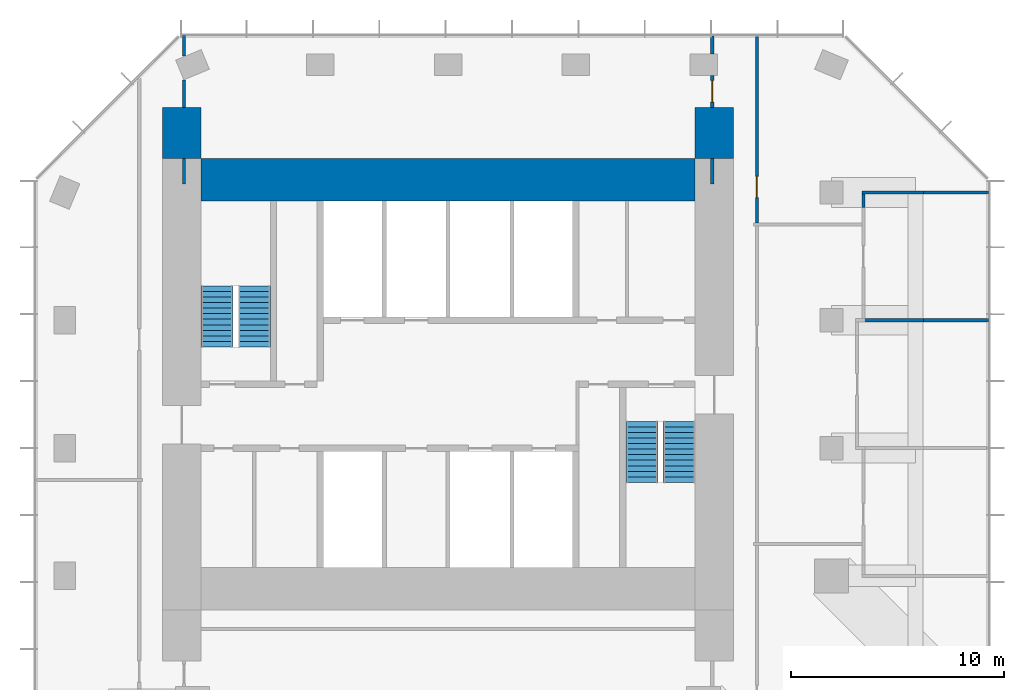
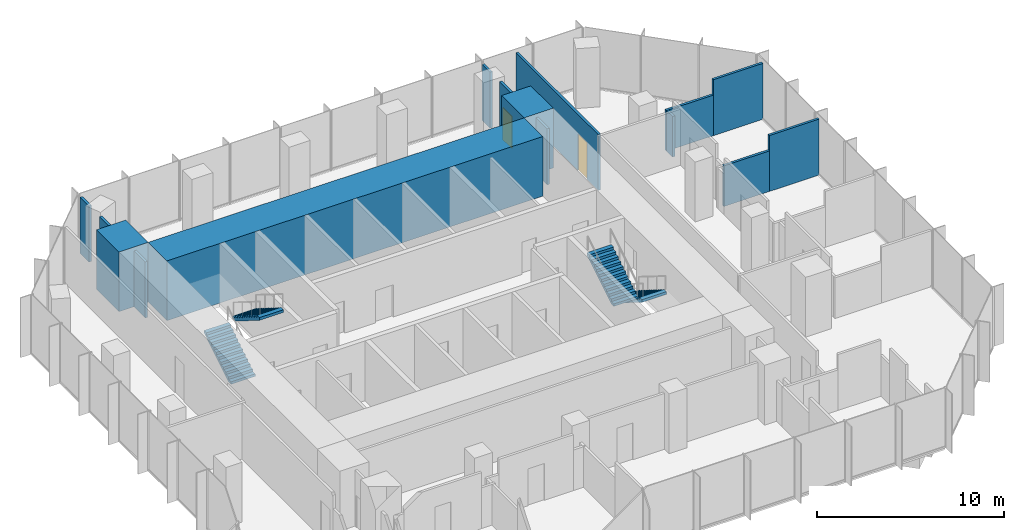
# One storey, part 10 of 11: 15 walls, 4 stair flights, 2 doors, 2 openings, 2 elements without a shape of their own.
"""IFC4 building model written with IfcOpenShell, lengths in metres."""

from ifc_helpers import new_model, si_unit, direction, frame, frame_2d, origin, place, context, subcontext, project, spatial, polyline, rectangle, outline, extrude, material, layer, layer_set, type_object, element, fill, aggregate, save


model = new_model("IFC4")

# Units and contexts
model_context = context("Model", 3, precision=1e-05, world=origin(), true_north=direction((0.0, 1.0)))
body_context = subcontext(model_context, "Body", "Model", "MODEL_VIEW")
ifc_project = project(units=[si_unit("LENGTHUNIT", "METRE"), si_unit("AREAUNIT", "SQUARE_METRE"), si_unit("VOLUMEUNIT", "CUBIC_METRE"), si_unit("PLANEANGLEUNIT", "RADIAN"), si_unit("MASSUNIT", "GRAM", prefix="KILO")], contexts=[model_context])

# Site, building, storey
site_placement = place(None, origin())
site = spatial("IfcSite", under=ifc_project, at=site_placement, CompositionType="ELEMENT")
building_placement = place(site_placement, origin())
building = spatial("IfcBuilding", under=site, at=building_placement, Name="Highveld Stack Headquarters", CompositionType="ELEMENT")
storey_placement = place(building_placement, frame((0.0, 0.0, 280.10009765625)))
storey = spatial("IfcBuildingStorey", under=building, at=storey_placement, Name="L69", CompositionType="ELEMENT", Elevation=280.10009765625)

# Walls
ifc_material_1 = material(Name="Concrete C60/75", Category="concrete")
ifc_layer_1 = layer(ifc_material_1, 2.0)
ifc_layer_set_1 = layer_set([ifc_layer_1], Name="Concrete C60/75")
wall_type_1 = type_object("IfcWallType", Name="CORE WALL 2000 C60/75", PredefinedType="SHEAR", material=ifc_layer_set_1)
wall_1_placement = place(storey_placement, frame((-5.60009765625, 12.60009765625, 0.0), z_axis=(0.0, 0.0, 1.0), x_axis=(1.0, 0.0, 0.0)))
element("IfcWall", 1, at=wall_1_placement, inside=storey, type_object=wall_type_1, Name="Core wall N L69", PredefinedType="SHEAR", context=body_context, shape_type="SweptSolid", body=[
    extrude(rectangle(XDim=23.2001953125, YDim=2.0, at=frame_2d((11.60009765625, 0.0))), origin(), (0.0, 0.0, 1.0), 3.89990234375),
])
ifc_material_2 = material(Name="Concrete C60/75", Category="concrete")
ifc_layer_2 = layer(ifc_material_2, 1.800048828125)
ifc_layer_set_2 = layer_set([ifc_layer_2], Name="Concrete C60/75")
wall_type_2 = type_object("IfcWallType", Name="CORE WING WALL 1800 C60/75", PredefinedType="SHEAR", material=ifc_layer_set_2)
for number, where, z_axis, x_axis, name in (
    (2, (-6.5, 13.60009765625, 0.0), (0.0, 0.0, 1.0), (0.0, 1.0, 0.0), "Core wing wall WN L69"),
    (3, (18.5, 13.60009765625, 0.0), (0.0, 0.0, 1.0), (0.0, 1.0, 0.0), "Core wing wall EN L69"),
):
    element("IfcWall", number, at=place(storey_placement, frame(where, z_axis=z_axis, x_axis=x_axis)), inside=storey, type_object=wall_type_2, Name=name, PredefinedType="SHEAR", context=body_context, shape_type="SweptSolid", body=[
        extrude(rectangle(XDim=2.39990234375, YDim=1.800048828125, at=frame_2d((1.199951171875, 0.0))), origin(), (0.0, 0.0, 1.0), 3.89990234375),
    ])
ifc_material_3 = material(Name="Gypsum plasterboard on steel studs", Category="steel")
ifc_layer_3 = layer(ifc_material_3, 0.14990234375)
ifc_layer_set_3 = layer_set([ifc_layer_3], Name="Gypsum plasterboard on steel studs")
wall_type_3 = type_object("IfcWallType", Name="PARTITION 150 PLASTERBOARD", PredefinedType="PARTITIONING", material=ifc_layer_set_3)
wall_2_placement = place(storey_placement, frame((25.5, 6.0, 0.0), z_axis=(0.0, 0.0, 1.0), x_axis=(1.0, 0.0, 0.0)))
element("IfcWall", 4, at=wall_2_placement, inside=storey, type_object=wall_type_3, Name="Partition Quiet room / Tea kitchen L69", PredefinedType="PARTITIONING", context=body_context, shape_type="SweptSolid", body=[
    extrude(rectangle(XDim=2.81005859375, YDim=0.14990234375, at=frame_2d((1.405029296875, 0.0))), origin(), (0.0, 0.0, 1.0), 2.64990234375),
])
wall_3_placement = place(storey_placement, frame((28.31005859375, 6.0, 0.0), z_axis=(0.0, 0.0, 1.0), x_axis=(1.0, 0.0, 0.0)))
element("IfcWall", 5, at=wall_3_placement, inside=storey, type_object=wall_type_3, Name="Partition Quiet room / Tea kitchen L69", PredefinedType="PARTITIONING", context=body_context, shape_type="SweptSolid", body=[
    extrude(rectangle(XDim=3.06494140625, YDim=0.14990234375, at=frame_2d((1.532470703125, 0.0))), origin(), (0.0, 0.0, 1.0), 3.64990234375),
])
wall_4_placement = place(storey_placement, frame((25.425048828125, 12.0, 0.0), z_axis=(0.0, 0.0, 1.0), x_axis=(1.0, 0.0, 0.0)))
element("IfcWall", 6, at=wall_4_placement, inside=storey, type_object=wall_type_3, Name="Partition Quiet room L69", PredefinedType="PARTITIONING", context=body_context, shape_type="SweptSolid", body=[
    extrude(rectangle(XDim=2.885009765625, YDim=0.14990234375, at=frame_2d((1.4423828125, 0.0))), origin(), (0.0, 0.0, 1.0), 2.64990234375),
])
wall_5_placement = place(storey_placement, frame((28.31005859375, 12.0, 0.0), z_axis=(0.0, 0.0, 1.0), x_axis=(1.0, 0.0, 0.0)))
element("IfcWall", 7, at=wall_5_placement, inside=storey, type_object=wall_type_3, Name="Partition Quiet room L69", PredefinedType="PARTITIONING", context=body_context, shape_type="SweptSolid", body=[
    extrude(rectangle(XDim=3.06494140625, YDim=0.14990234375, at=frame_2d((1.532470703125, 0.0))), origin(), (0.0, 0.0, 1.0), 3.64990234375),
])
wall_6_placement = place(storey_placement, frame((25.5, 11.2900390625, 0.0), z_axis=(0.0, 0.0, 1.0), x_axis=(0.0, 1.0, 0.0)))
element("IfcWall", 8, at=wall_6_placement, inside=storey, type_object=wall_type_3, Name="Partition Quiet room L69", PredefinedType="PARTITIONING", context=body_context, shape_type="SweptSolid", body=[
    extrude(rectangle(XDim=0.635009765625, YDim=0.14990234375, at=frame_2d((0.3173828125, 0.0))), origin(), (0.0, 0.0, 1.0), 2.64990234375),
])
wall_7_placement = place(storey_placement, frame((-6.39990234375, 12.39990234375, 0.0), z_axis=(0.0, 0.0, 1.0), x_axis=(0.0, 1.0, 0.0)))
element("IfcWall", 9, at=wall_7_placement, inside=storey, type_object=wall_type_3, Name="Partition office neighbourhood L69", PredefinedType="PARTITIONING", context=body_context, shape_type="SweptSolid", body=[
    extrude(rectangle(XDim=1.2001953125, YDim=0.14990234375, at=frame_2d((0.60009765625, 0.0))), origin(), (0.0, 0.0, 1.0), 3.64990234375),
])
wall_8_placement = place(storey_placement, frame((-6.39990234375, 16.0, 0.0), z_axis=(0.0, 0.0, 1.0), x_axis=(0.0, 1.0, 0.0)))
element("IfcWall", 10, at=wall_8_placement, inside=storey, type_object=wall_type_3, Name="Partition office neighbourhood L69", PredefinedType="PARTITIONING", context=body_context, shape_type="SweptSolid", body=[
    extrude(rectangle(XDim=1.289306640625, YDim=0.14990234375, at=frame_2d((0.64453125, 0.0))), origin(), (0.0, 0.0, 1.0), 3.64990234375),
])
wall_9_placement = place(storey_placement, frame((-6.39990234375, 18.406494140625, 0.0), z_axis=(0.0, 0.0, 1.0), x_axis=(0.0, 1.0, 0.0)))
element("IfcWall", 11, at=wall_9_placement, inside=storey, type_object=wall_type_3, Name="Partition office neighbourhood L69", PredefinedType="PARTITIONING", context=body_context, shape_type="SweptSolid", body=[
    extrude(rectangle(XDim=0.968505859375, YDim=0.14990234375, at=frame_2d((0.484375, 0.0))), origin(), (0.0, 0.0, 1.0), 3.64990234375),
])
wall_10_placement = place(storey_placement, frame((18.39990234375, 12.39990234375, 0.0), z_axis=(0.0, 0.0, 1.0), x_axis=(0.0, 1.0, 0.0)))
element("IfcWall", 12, at=wall_10_placement, inside=storey, type_object=wall_type_3, Name="Partition office neighbourhood L69", PredefinedType="PARTITIONING", context=body_context, shape_type="SweptSolid", body=[
    extrude(rectangle(XDim=1.2001953125, YDim=0.14990234375, at=frame_2d((0.60009765625, 0.0))), origin(), (0.0, 0.0, 1.0), 3.64990234375),
])

# Wall, opening, door
wall_11_placement = place(storey_placement, frame((18.39990234375, 16.0, 0.0), z_axis=(0.0, 0.0, 1.0), x_axis=(0.0, 1.0, 0.0)))
wall_11 = element("IfcWall", 13, at=wall_11_placement, inside=storey, type_object=wall_type_3, Name="Partition office neighbourhood L69", PredefinedType="PARTITIONING", context=body_context, shape_type="SweptSolid", body=[
    extrude(rectangle(XDim=1.5, YDim=0.14990234375, at=frame_2d((0.75, 0.0))), origin(), (0.0, 0.0, 1.0), 3.64990234375),
])
opening_1_placement = place(wall_11_placement, frame((0.25, 0.0, 0.0)))
opening_1 = element("IfcOpeningElement", 14, at=opening_1_placement, cuts=wall_11, Name="Opening L69-24", PredefinedType="OPENING", context=body_context, shape_type="SweptSolid", body=[
    extrude(rectangle(XDim=1.0, YDim=2.10009765625, at=frame_2d((0.5, 1.050048828125))), frame((0.0, 0.0849609375, 0.0), z_axis=(0.0, -1.0, 0.0), x_axis=(1.0, 0.0, 0.0)), (0.0, 0.0, 1.0), 0.169921875),
])
ifc_material_4 = material(Name="Timber door, oiled ash", Category="wood")
door_type_1 = type_object("IfcDoorType", Name="ROOM DOOR D6 1000x2100", OperationType="SINGLE_SWING_LEFT", PredefinedType="DOOR", material=ifc_material_4)
door_1_placement = place(opening_1_placement, origin())
door_1 = element("IfcDoor", 15, at=door_1_placement, inside=storey, type_object=door_type_1, Name="Office neighbourhood door L69", OperationType="SINGLE_SWING_RIGHT", OverallHeight=2.10009765625, OverallWidth=1.0, PredefinedType="DOOR", context=body_context, shape_type="SweptSolid", body=[
    extrude(rectangle(XDim=1.0, YDim=2.10009765625, at=frame_2d((0.5, 1.050048828125))), frame((0.0, 0.02490234375, 0.0), z_axis=(0.0, -1.0, 0.0), x_axis=(1.0, 0.0, 0.0)), (0.0, 0.0, 1.0), 0.050048828125),
])
fill(opening_1, door_1)

# Wall
wall_12_placement = place(storey_placement, frame((18.39990234375, 18.5, 0.0), z_axis=(0.0, 0.0, 1.0), x_axis=(0.0, 1.0, 0.0)))
element("IfcWall", 16, at=wall_12_placement, inside=storey, type_object=wall_type_3, Name="Partition office neighbourhood L69", PredefinedType="PARTITIONING", context=body_context, shape_type="SweptSolid", body=[
    extrude(rectangle(XDim=0.85009765625, YDim=0.14990234375, at=frame_2d((0.425048828125, 0.0))), origin(), (0.0, 0.0, 1.0), 3.64990234375),
])

# Wall, opening, door
wall_13_placement = place(storey_placement, frame((20.5, 10.574951171875, 0.0), z_axis=(0.0, 0.0, 1.0), x_axis=(0.0, 1.0, 0.0)))
wall_13 = element("IfcWall", 17, at=wall_13_placement, inside=storey, type_object=wall_type_3, Name="Partition office neighbourhood L69", PredefinedType="PARTITIONING", context=body_context, shape_type="SweptSolid", body=[
    extrude(rectangle(XDim=8.800048828125, YDim=0.14990234375, at=frame_2d((4.39990234375, 0.0))), origin(), (0.0, 0.0, 1.0), 3.64990234375),
])
opening_2_placement = place(wall_13_placement, frame((1.18505859375, 0.0, 0.0)))
opening_2 = element("IfcOpeningElement", 18, at=opening_2_placement, cuts=wall_13, Name="Opening L69-22", PredefinedType="OPENING", context=body_context, shape_type="SweptSolid", body=[
    extrude(rectangle(XDim=1.0, YDim=2.39990234375, at=frame_2d((0.5, 1.199951171875))), frame((0.0, 0.0849609375, 0.0), z_axis=(0.0, -1.0, 0.0), x_axis=(1.0, 0.0, 0.0)), (0.0, 0.0, 1.0), 0.169921875),
])
ifc_material_5 = material(Name="Timber door, oiled ash", Category="wood")
door_type_2 = type_object("IfcDoorType", Name="ROOM DOOR D11 1000x2400", OperationType="SINGLE_SWING_LEFT", PredefinedType="DOOR", material=ifc_material_5)
door_2_placement = place(opening_2_placement, origin())
door_2 = element("IfcDoor", 19, at=door_2_placement, inside=storey, type_object=door_type_2, Name="Office neighbourhood door L69", OperationType="SINGLE_SWING_LEFT", OverallHeight=2.39990234375, OverallWidth=1.0, PredefinedType="DOOR", context=body_context, shape_type="SweptSolid", body=[
    extrude(rectangle(XDim=1.0, YDim=2.39990234375, at=frame_2d((0.5, 1.199951171875))), frame((0.0, 0.02490234375, 0.0), z_axis=(0.0, -1.0, 0.0), x_axis=(1.0, 0.0, 0.0)), (0.0, 0.0, 1.0), 0.050048828125),
])
fill(opening_2, door_2)

# Stair, stair flights
ifc_material_6 = material(Name="Concrete C40/50, precast", Category="concrete")
stair_type_1 = type_object("IfcStairType", Name="STAIR S1 HALF TURN 1500", PredefinedType="HALF_TURN_STAIR", material=ifc_material_6)
stair_1_placement = place(storey_placement, origin())
stair_1 = element("IfcStair", 20, at=stair_1_placement, inside=storey, type_object=stair_type_1, Name="Stair S1 L69", PredefinedType="HALF_TURN_STAIR")
ifc_material_7 = material(Name="Concrete C40/50, precast", Category="concrete")
stair_flight_type = type_object("IfcStairFlightType", Name="STAIR FLIGHT 1500 PRECAST", PredefinedType="STRAIGHT", material=ifc_material_7)
stair_flight_1_placement = place(storey_placement, frame((-4.85009765625, 4.75, 0.0), z_axis=(0.0, 0.0, 1.0), x_axis=(0.0, 1.0, 0.0)))
stair_flight_1 = element("IfcStairFlight", 21, at=stair_flight_1_placement, type_object=stair_flight_type, Name="S1 flight 1", NumberOfRisers=12, NumberOfTreads=11, PredefinedType="STRAIGHT", RiserHeight=0.1625, TreadLength=0.26, context=body_context, shape_type="SweptSolid", body=[
    extrude(outline(polyline([(0.0, 0.0), (0.0, 0.16259765625), (0.260009765625, 0.16259765625), (0.260009765625, 0.324951171875), (0.52001953125, 0.324951171875), (0.52001953125, 0.487548828125), (0.780029296875, 0.487548828125), (0.780029296875, 0.64990234375), (1.0400390625, 0.64990234375), (1.0400390625, 0.8125), (1.300048828125, 0.8125), (1.300048828125, 0.97509765625), (1.56005859375, 0.97509765625), (1.56005859375, 1.137451171875), (1.820068359375, 1.137451171875), (1.820068359375, 1.300048828125), (2.080078125, 1.300048828125), (2.080078125, 1.46240234375), (2.340087890625, 1.46240234375), (2.340087890625, 1.625), (2.60009765625, 1.625), (2.60009765625, 1.78759765625), (2.860107421875, 1.78759765625), (2.860107421875, 1.949951171875), (2.860107421875, 1.61083984375), (0.28271484375, 0.0), (0.0, 0.0)])), frame((0.0, 0.75, 0.0), z_axis=(0.0, -1.0, 0.0), x_axis=(1.0, 0.0, 0.0)), (0.0, 0.0, 1.0), 1.5),
])
stair_flight_2_placement = place(storey_placement, frame((-3.10009765625, 7.610107421875, 1.949951171875), z_axis=(0.0, 0.0, 1.0), x_axis=(0.0, -1.0, 0.0)))
stair_flight_2 = element("IfcStairFlight", 22, at=stair_flight_2_placement, type_object=stair_flight_type, Name="S1 flight 2", NumberOfRisers=12, NumberOfTreads=11, PredefinedType="STRAIGHT", RiserHeight=0.1625, TreadLength=0.26, context=body_context, shape_type="SweptSolid", body=[
    extrude(outline(polyline([(0.0, 0.0), (0.0, 0.16259765625), (0.260009765625, 0.16259765625), (0.260009765625, 0.324951171875), (0.52001953125, 0.324951171875), (0.52001953125, 0.487548828125), (0.780029296875, 0.487548828125), (0.780029296875, 0.64990234375), (1.0400390625, 0.64990234375), (1.0400390625, 0.8125), (1.300048828125, 0.8125), (1.300048828125, 0.97509765625), (1.56005859375, 0.97509765625), (1.56005859375, 1.137451171875), (1.820068359375, 1.137451171875), (1.820068359375, 1.300048828125), (2.080078125, 1.300048828125), (2.080078125, 1.46240234375), (2.340087890625, 1.46240234375), (2.340087890625, 1.625), (2.60009765625, 1.625), (2.60009765625, 1.78759765625), (2.860107421875, 1.78759765625), (2.860107421875, 1.949951171875), (2.860107421875, 1.61083984375), (0.28271484375, 0.0), (0.0, 0.0)])), frame((0.0, 0.75, 0.0), z_axis=(0.0, -1.0, 0.0), x_axis=(1.0, 0.0, 0.0)), (0.0, 0.0, 1.0), 1.5),
])
aggregate(stair_1, [stair_flight_1, stair_flight_2])

ifc_material_8 = material(Name="Concrete C40/50, precast", Category="concrete")
stair_type_2 = type_object("IfcStairType", Name="STAIR S2 HALF TURN 1500", PredefinedType="HALF_TURN_STAIR", material=ifc_material_8)
stair_2_placement = place(storey_placement, origin())
stair_2 = element("IfcStair", 23, at=stair_2_placement, inside=storey, type_object=stair_type_2, Name="Stair S2 L69", PredefinedType="HALF_TURN_STAIR")
stair_flight_3_placement = place(storey_placement, frame((16.85009765625, 1.25, 0.0), z_axis=(0.0, 0.0, 1.0), x_axis=(0.0, -1.0, 0.0)))
stair_flight_3 = element("IfcStairFlight", 24, at=stair_flight_3_placement, type_object=stair_flight_type, Name="S2 flight 1", NumberOfRisers=12, NumberOfTreads=11, PredefinedType="STRAIGHT", RiserHeight=0.1625, TreadLength=0.26, context=body_context, shape_type="SweptSolid", body=[
    extrude(outline(polyline([(0.0, 0.0), (0.0, 0.16259765625), (0.260009765625, 0.16259765625), (0.260009765625, 0.324951171875), (0.52001953125, 0.324951171875), (0.52001953125, 0.487548828125), (0.780029296875, 0.487548828125), (0.780029296875, 0.64990234375), (1.0400390625, 0.64990234375), (1.0400390625, 0.8125), (1.300048828125, 0.8125), (1.300048828125, 0.97509765625), (1.56005859375, 0.97509765625), (1.56005859375, 1.137451171875), (1.820068359375, 1.137451171875), (1.820068359375, 1.300048828125), (2.080078125, 1.300048828125), (2.080078125, 1.46240234375), (2.340087890625, 1.46240234375), (2.340087890625, 1.625), (2.60009765625, 1.625), (2.60009765625, 1.78759765625), (2.860107421875, 1.78759765625), (2.860107421875, 1.949951171875), (2.860107421875, 1.61083984375), (0.28271484375, 0.0), (0.0, 0.0)])), frame((0.0, 0.75, 0.0), z_axis=(0.0, -1.0, 0.0), x_axis=(1.0, 0.0, 0.0)), (0.0, 0.0, 1.0), 1.5),
])
stair_flight_4_placement = place(storey_placement, frame((15.10009765625, -1.610107421875, 1.949951171875), z_axis=(0.0, 0.0, 1.0), x_axis=(0.0, 1.0, 0.0)))
stair_flight_4 = element("IfcStairFlight", 25, at=stair_flight_4_placement, type_object=stair_flight_type, Name="S2 flight 2", NumberOfRisers=12, NumberOfTreads=11, PredefinedType="STRAIGHT", RiserHeight=0.1625, TreadLength=0.26, context=body_context, shape_type="SweptSolid", body=[
    extrude(outline(polyline([(0.0, 0.0), (0.0, 0.16259765625), (0.260009765625, 0.16259765625), (0.260009765625, 0.324951171875), (0.52001953125, 0.324951171875), (0.52001953125, 0.487548828125), (0.780029296875, 0.487548828125), (0.780029296875, 0.64990234375), (1.0400390625, 0.64990234375), (1.0400390625, 0.8125), (1.300048828125, 0.8125), (1.300048828125, 0.97509765625), (1.56005859375, 0.97509765625), (1.56005859375, 1.137451171875), (1.820068359375, 1.137451171875), (1.820068359375, 1.300048828125), (2.080078125, 1.300048828125), (2.080078125, 1.46240234375), (2.340087890625, 1.46240234375), (2.340087890625, 1.625), (2.60009765625, 1.625), (2.60009765625, 1.78759765625), (2.860107421875, 1.78759765625), (2.860107421875, 1.949951171875), (2.860107421875, 1.61083984375), (0.28271484375, 0.0), (0.0, 0.0)])), frame((0.0, 0.75, 0.0), z_axis=(0.0, -1.0, 0.0), x_axis=(1.0, 0.0, 0.0)), (0.0, 0.0, 1.0), 1.5),
])
aggregate(stair_2, [stair_flight_3, stair_flight_4])

save(model, "model.ifc")
